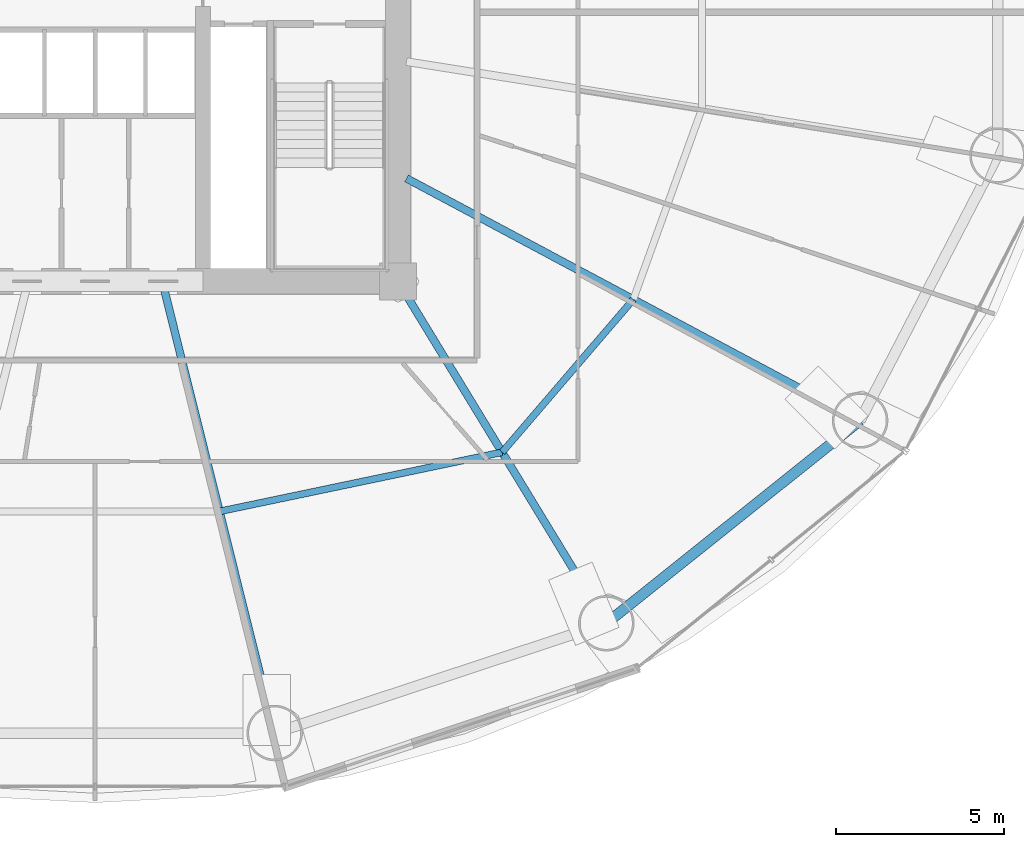
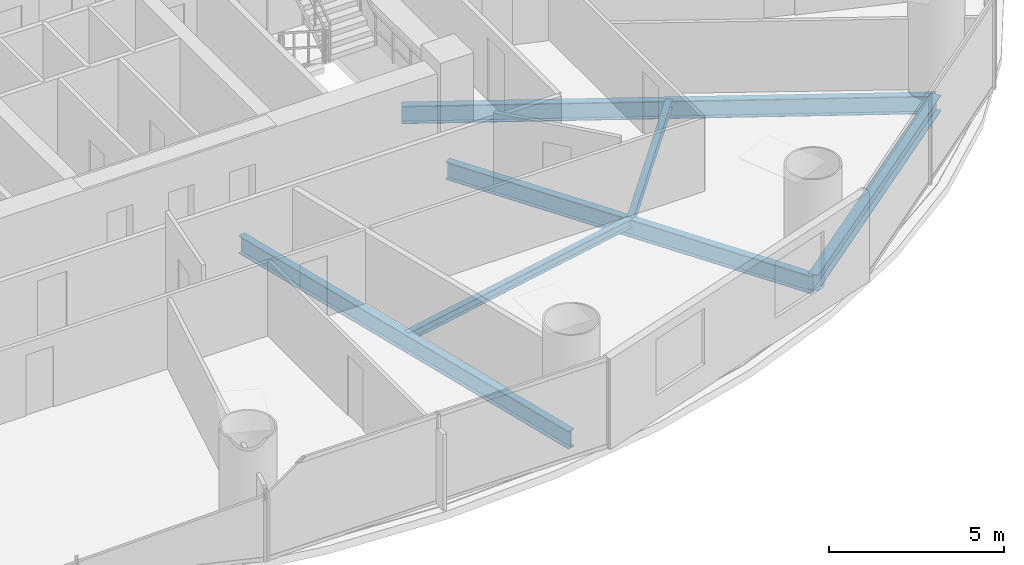
# One storey, part 11 of 29: 6 beams.
"""IFC4 building model written with IfcOpenShell, lengths in metres."""

from ifc_helpers import new_model, si_unit, direction, frame, origin, origin_2d, place, context, subcontext, project, spatial, i_section, extrude, material, material_profile, profile_set, type_object, element, save


model = new_model("IFC4")

# Units and contexts
model_context = context("Model", 3, precision=1e-05, world=origin(), true_north=direction((-0.2419218956, 0.970295726276)))
body_context = subcontext(model_context, "Body", "Model", "MODEL_VIEW")
ifc_project = project(units=[si_unit("LENGTHUNIT", "METRE"), si_unit("AREAUNIT", "SQUARE_METRE"), si_unit("VOLUMEUNIT", "CUBIC_METRE"), si_unit("PLANEANGLEUNIT", "RADIAN"), si_unit("MASSUNIT", "GRAM", prefix="KILO")], contexts=[model_context])

# Site, building, storey
site_placement = place(None, origin())
site = spatial("IfcSite", under=ifc_project, at=site_placement, CompositionType="ELEMENT")
building_placement = place(site_placement, origin())
building = spatial("IfcBuilding", under=site, at=building_placement, Name="Cobrevalo Terracotta Tower", CompositionType="ELEMENT")
storey_placement = place(building_placement, frame((0.0, 0.0, 70.800048828125)))
storey = spatial("IfcBuildingStorey", under=building, at=storey_placement, Name="L18", CompositionType="ELEMENT", Elevation=70.800048828125)

# Beams
ifc_material = material(Name="Steel S355", Category="steel")
ifc_material_profile_1 = material_profile(ifc_material, i_section(OverallWidth=0.22998046875, OverallDepth=0.616943359375, WebThickness=0.01318359375, FlangeThickness=0.022216796875, at=origin_2d()), Name="W 610x140")
ifc_profile_set_1 = profile_set([ifc_material_profile_1], Name="Steel S355")
beam_type_1 = type_object("IfcBeamType", Name="Structural Beam W 610x140 (Steel S355)", PredefinedType="BEAM", material=ifc_profile_set_1)
beam_1_placement = place(storey_placement, frame((43.335693359375, 5.369873046875, -0.588623046875), z_axis=(-0.241600470374, 0.970375810042, 0.0), x_axis=(-0.970375810042, -0.241600470374, 0.0)))
element("IfcBeam", 1, at=beam_1_placement, inside=storey, type_object=beam_type_1, Name="L18 radial floor girder 13", PredefinedType="BEAM", context=body_context, shape_type="SweptSolid", body=[
    extrude(i_section(OverallWidth=0.22998046875, OverallDepth=0.616943359375, WebThickness=0.01318359375, FlangeThickness=0.022216796875, at=origin_2d()), origin(), (0.0, 0.0, 1.0), 13.5771484375),
])
beam_2_placement = place(storey_placement, frame((53.19482421875, 8.63232421875, -0.588623046875), z_axis=(-0.520300780853, 0.853983077961, 0.0), x_axis=(-0.853983077961, -0.520300780853, 0.0)))
element("IfcBeam", 2, at=beam_2_placement, inside=storey, type_object=beam_type_1, Name="L18 radial floor girder 14", PredefinedType="BEAM", context=body_context, shape_type="SweptSolid", body=[
    extrude(i_section(OverallWidth=0.22998046875, OverallDepth=0.616943359375, WebThickness=0.01318359375, FlangeThickness=0.022216796875, at=origin_2d()), origin(), (0.0, 0.0, 1.0), 11.90625),
])
beam_3_placement = place(storey_placement, frame((60.74072265625, 14.660888671875, -0.588623046875), z_axis=(-0.88218223571, 0.470908168329, 0.0), x_axis=(-0.470908168329, -0.88218223571, 0.0)))
element("IfcBeam", 3, at=beam_3_placement, inside=storey, type_object=beam_type_1, Name="L18 radial floor girder 15", PredefinedType="BEAM", context=body_context, shape_type="SweptSolid", body=[
    extrude(i_section(OverallWidth=0.22998046875, OverallDepth=0.616943359375, WebThickness=0.01318359375, FlangeThickness=0.022216796875, at=origin_2d()), origin(), (0.0, 0.0, 1.0), 15.286865234375),
])
ifc_material_profile_2 = material_profile(ifc_material, i_section(OverallWidth=0.2041015625, OverallDepth=0.305908203125, WebThickness=0.008544921875, FlangeThickness=0.0146484375, at=origin_2d()), Name="W 310x67")
ifc_profile_set_2 = profile_set([ifc_material_profile_2], Name="Steel S355")
beam_type_2 = type_object("IfcBeamType", Name="Structural Joist W 310x67 (Steel S355)", PredefinedType="JOIST", material=ifc_profile_set_2)
beam_4_placement = place(storey_placement, frame((41.695556640625, 11.95751953125, -0.43310546875), z_axis=(0.978784523904, 0.204892302848, 0.0), x_axis=(-0.204892302848, 0.978784523904, 0.0)))
element("IfcBeam", 4, at=beam_4_placement, inside=storey, type_object=beam_type_2, Name="L18 circumferential secondary floor joist 13", PredefinedType="JOIST", context=body_context, shape_type="SweptSolid", body=[
    extrude(i_section(OverallWidth=0.2041015625, OverallDepth=0.305908203125, WebThickness=0.008544921875, FlangeThickness=0.0146484375, at=origin_2d()), origin(), (0.0, 0.0, 1.0), 8.583984375),
])
beam_5_placement = place(storey_placement, frame((50.097412109375, 13.71630859375, -0.43310546875), z_axis=(0.651328404454, 0.758795960421, 0.0), x_axis=(-0.758795960421, 0.651328404454, 0.0)))
element("IfcBeam", 5, at=beam_5_placement, inside=storey, type_object=beam_type_2, Name="L18 circumferential secondary floor joist 14", PredefinedType="JOIST", context=body_context, shape_type="SweptSolid", body=[
    extrude(i_section(OverallWidth=0.2041015625, OverallDepth=0.305908203125, WebThickness=0.008544921875, FlangeThickness=0.0146484375, at=origin_2d()), origin(), (0.0, 0.0, 1.0), 5.98828125),
])
ifc_material_profile_3 = material_profile(ifc_material, i_section(OverallWidth=0.31201171875, OverallDepth=0.54296875, WebThickness=0.0126953125, FlangeThickness=0.020263671875, at=origin_2d()), Name="W 530x150")
ifc_profile_set_3 = profile_set([ifc_material_profile_3], Name="Steel S355")
beam_type_3 = type_object("IfcBeamType", Name="Structural Spandrel W 530x150 (Steel S355)", PredefinedType="SPANDREL", material=ifc_profile_set_3)
beam_6_placement = place(storey_placement, frame((53.19482421875, 8.63232421875, -0.551513671875), z_axis=(0.781280479891, 0.62418011162, 0.0), x_axis=(-0.62418011162, 0.781280479891, 0.0)))
element("IfcBeam", 6, at=beam_6_placement, inside=storey, type_object=beam_type_3, Name="L18 perimeter ring spandrel 14", PredefinedType="SPANDREL", context=body_context, shape_type="SweptSolid", body=[
    extrude(i_section(OverallWidth=0.31201171875, OverallDepth=0.54296875, WebThickness=0.0126953125, FlangeThickness=0.020263671875, at=origin_2d()), origin(), (0.0, 0.0, 1.0), 9.658447265625),
])

save(model, "model.ifc")
